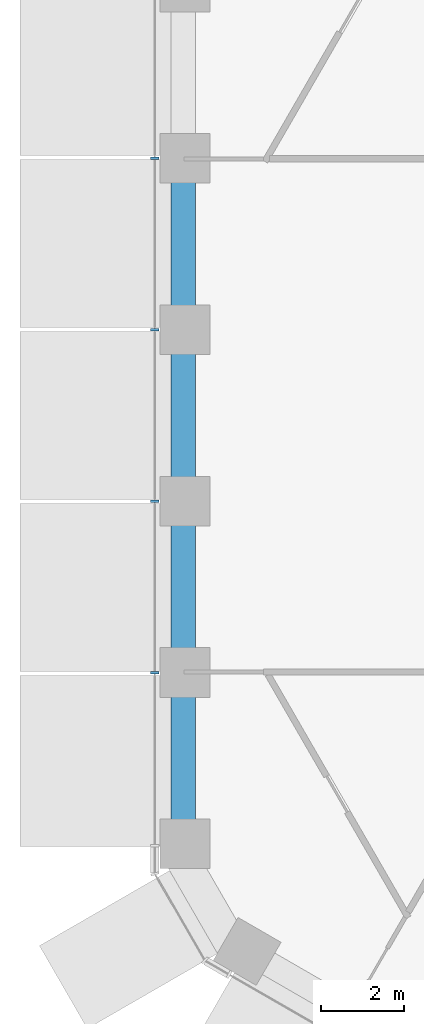
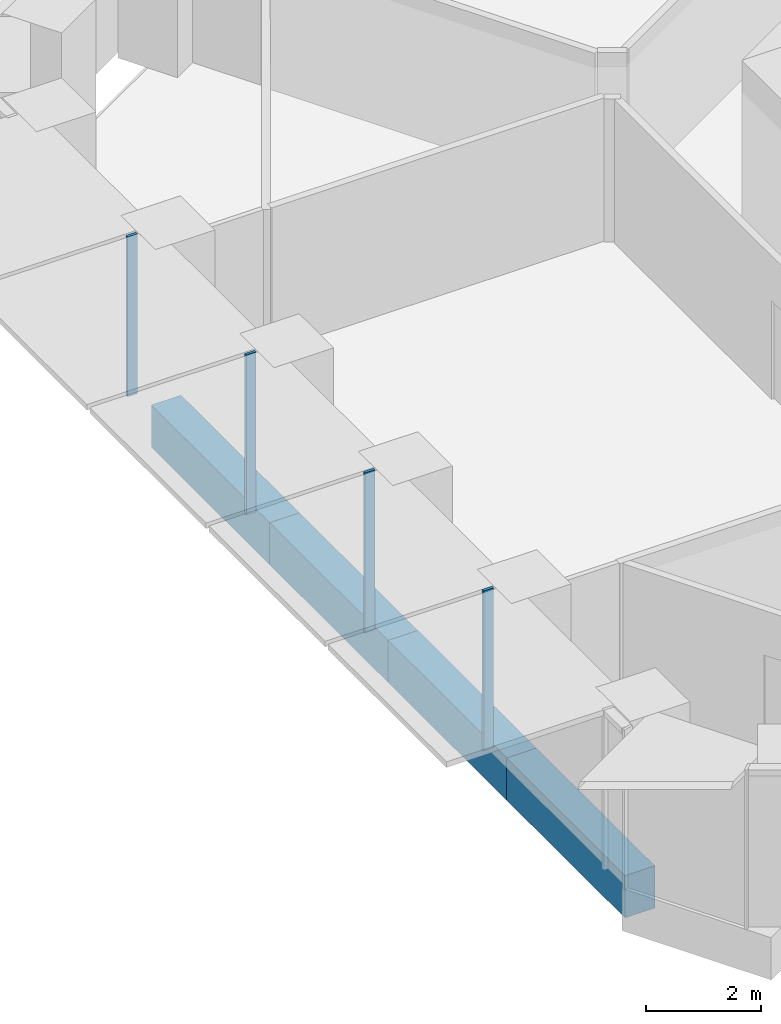
# One storey, part 3 of 19: 4 beams, 4 members, 1 element without a shape of its own.
"""IFC4 building model written with IfcOpenShell, lengths in metres."""

from ifc_helpers import new_model, si_unit, direction, frame, origin, origin_2d, place, context, subcontext, project, spatial, rectangle, extrude, material, layer, layer_set, material_profile, profile_set, type_object, element, aggregate, save


model = new_model("IFC4")

# Units and contexts
model_context = context("Model", 3, precision=1e-05, world=origin(), true_north=direction((0.0, 1.0)))
body_context = subcontext(model_context, "Body", "Model", "MODEL_VIEW")
ifc_project = project(units=[si_unit("LENGTHUNIT", "METRE"), si_unit("AREAUNIT", "SQUARE_METRE"), si_unit("VOLUMEUNIT", "CUBIC_METRE"), si_unit("PLANEANGLEUNIT", "RADIAN"), si_unit("MASSUNIT", "GRAM", prefix="KILO")], contexts=[model_context])

# Site, building, storey
site_placement = place(None, origin())
site = spatial("IfcSite", under=ifc_project, at=site_placement, CompositionType="ELEMENT")
building_placement = place(site_placement, origin())
building = spatial("IfcBuilding", under=site, at=building_placement, Name="Ayvan Gate Tower", CompositionType="ELEMENT")
storey_placement = place(building_placement, frame((0.0, 0.0, 32.300048828125)))
storey = spatial("IfcBuildingStorey", under=building, at=storey_placement, Name="L07", CompositionType="ELEMENT", Elevation=32.300048828125)

# Beams
ifc_material_1 = material(Name="Concrete C40/50", Category="concrete")
ifc_material_profile_1 = material_profile(ifc_material_1, rectangle(XDim=0.60009765625, YDim=0.89990234375, at=origin_2d()), Name="RC 600x900")
ifc_profile_set_1 = profile_set([ifc_material_profile_1], Name="Concrete C40/50")
beam_type = type_object("IfcBeamType", Name="Spandrel beam RC 600x900 C40/50", PredefinedType="BEAM", material=ifc_profile_set_1)
for number, where, z_axis, x_axis, name in (
    (1, (-20.679931640625, 6.197021484375, -0.800048828125), (0.0, -1.0, 0.0), (1.0, 0.0, 0.0), "SB-L07-20"),
    (2, (-20.679931640625, 2.065673828125, -0.800048828125), (0.0, -1.0, 0.0), (1.0, 0.0, 0.0), "SB-L07-21"),
    (3, (-20.679931640625, -2.065673828125, -0.800048828125), (0.0, -1.0, 0.0), (1.0, 0.0, 0.0), "SB-L07-22"),
    (4, (-20.679931640625, -6.197021484375, -0.800048828125), (0.0, -1.0, 0.0), (1.0, 0.0, 0.0), "SB-L07-23"),
):
    element("IfcBeam", number, at=place(storey_placement, frame(where, z_axis=z_axis, x_axis=x_axis)), inside=storey, type_object=beam_type, Name=name, PredefinedType="BEAM", context=body_context, shape_type="SweptSolid", body=[
        extrude(rectangle(XDim=0.60009765625, YDim=0.89990234375, at=origin_2d()), origin(), (0.0, 0.0, 1.0), 4.13134765625),
    ])

# Curtain wall, members
ifc_material_2 = material(Name="Bronze anodised aluminium", Category="aluminium")
ifc_layer = layer(ifc_material_2, 0.199951171875)
ifc_layer_set = layer_set([ifc_layer], Name="Bronze anodised aluminium")
curtain_wall_type = type_object("IfcCurtainWallType", Name="Stick curtain wall CW-1", PredefinedType="NOTDEFINED", material=ifc_layer_set)
curtain_wall_placement = place(storey_placement, origin())
curtain_wall = element("IfcCurtainWall", 5, at=curtain_wall_placement, inside=storey, type_object=curtain_wall_type, Name="Stick curtain wall CW-1 L07", PredefinedType="NOTDEFINED")
ifc_material_profile_2 = material_profile(ifc_material_2, rectangle(XDim=0.199951171875, YDim=0.06005859375, at=origin_2d()), Name="Stick curtain wall CW-1 mullion 200 x 60")
ifc_profile_set_2 = profile_set([ifc_material_profile_2], Name="Bronze anodised aluminium")
member_type = type_object("IfcMemberType", Name="Stick curtain wall CW-1 mullion 200 x 60", PredefinedType="MULLION", material=ifc_profile_set_2)
member_1_placement = place(storey_placement, frame((-21.365966796875, 6.212646484375, 0.0), z_axis=(0.0, 0.0, 1.0), x_axis=(-1.0, 0.0, 0.0)))
member_1 = element("IfcMember", 6, at=member_1_placement, type_object=member_type, Name="CW-1 mullion 2", PredefinedType="MULLION", context=body_context, shape_type="SweptSolid", body=[
    extrude(rectangle(XDim=0.199951171875, YDim=0.06005859375, at=origin_2d()), origin(), (0.0, 0.0, 1.0), 3.39990234375),
])
member_2_placement = place(storey_placement, frame((-21.365966796875, 2.070556640625, 0.0), z_axis=(0.0, 0.0, 1.0), x_axis=(-1.0, 0.0, 0.0)))
member_2 = element("IfcMember", 7, at=member_2_placement, type_object=member_type, Name="CW-1 mullion 3", PredefinedType="MULLION", context=body_context, shape_type="SweptSolid", body=[
    extrude(rectangle(XDim=0.199951171875, YDim=0.06005859375, at=origin_2d()), origin(), (0.0, 0.0, 1.0), 3.39990234375),
])
member_3_placement = place(storey_placement, frame((-21.365966796875, -2.0703125, 0.0), z_axis=(0.0, 0.0, 1.0), x_axis=(-1.0, 0.0, 0.0)))
member_3 = element("IfcMember", 8, at=member_3_placement, type_object=member_type, Name="CW-1 mullion 4", PredefinedType="MULLION", context=body_context, shape_type="SweptSolid", body=[
    extrude(rectangle(XDim=0.199951171875, YDim=0.06005859375, at=origin_2d()), origin(), (0.0, 0.0, 1.0), 3.39990234375),
])
member_4_placement = place(storey_placement, frame((-21.365966796875, -6.21240234375, 0.0), z_axis=(0.0, 0.0, 1.0), x_axis=(-1.0, 0.0, 0.0)))
member_4 = element("IfcMember", 9, at=member_4_placement, type_object=member_type, Name="CW-1 mullion 5", PredefinedType="MULLION", context=body_context, shape_type="SweptSolid", body=[
    extrude(rectangle(XDim=0.199951171875, YDim=0.06005859375, at=origin_2d()), origin(), (0.0, 0.0, 1.0), 3.39990234375),
])
aggregate(curtain_wall, [member_1, member_2, member_3, member_4])

save(model, "model.ifc")
